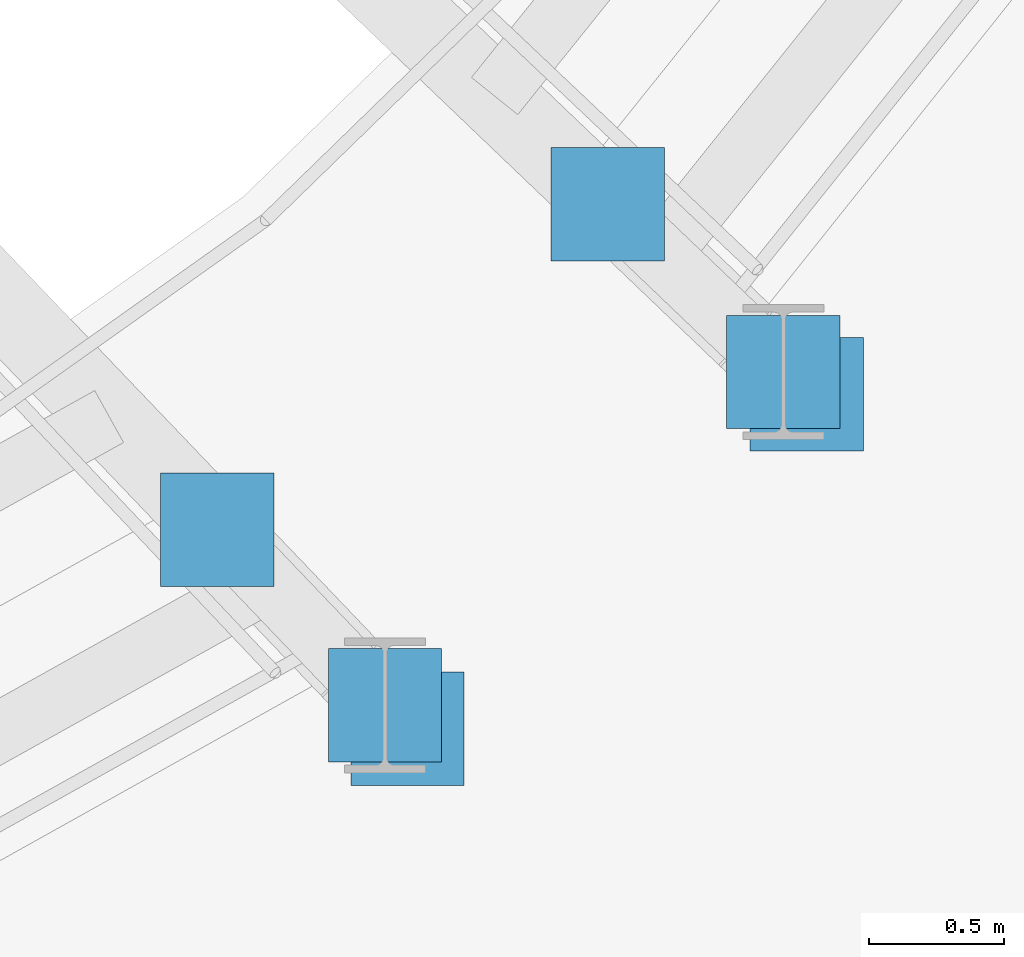
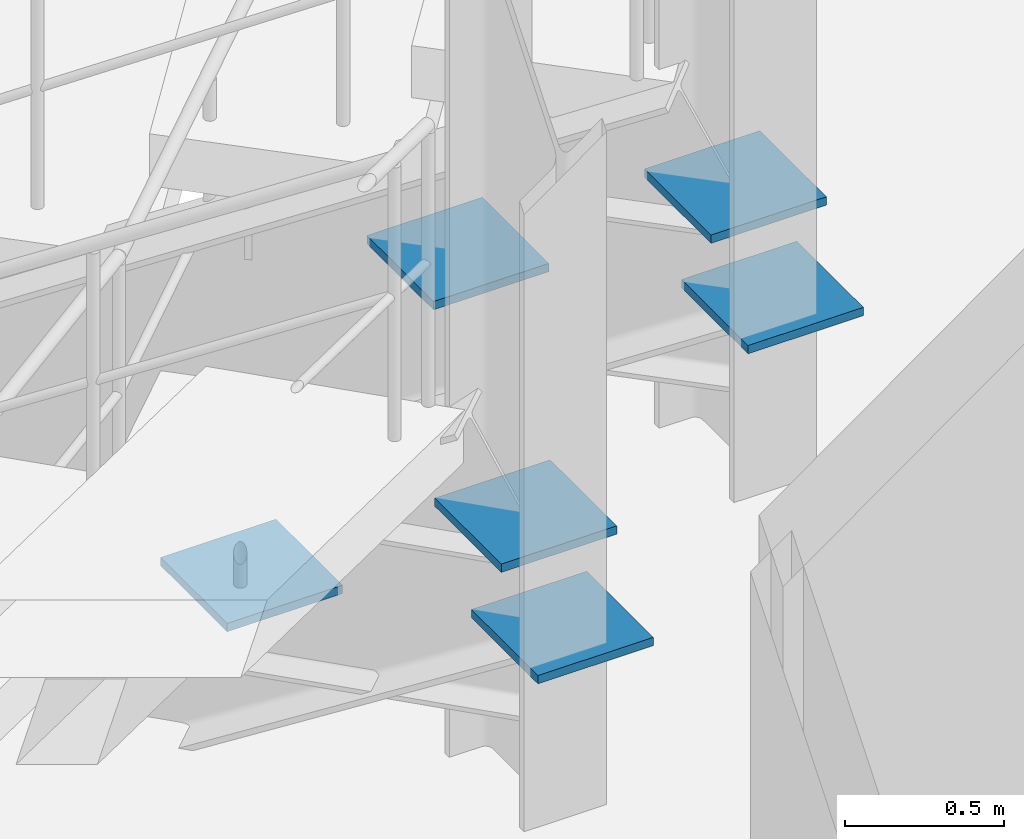
# One storey, part 65 of 81: 6 discrete accessories.
"""IFC4 building model written with IfcOpenShell, lengths in metres."""

from ifc_helpers import new_model, si_unit, direction, frame, origin, origin_2d, place, context, subcontext, project, spatial, rectangle, extrude, material, type_object, element, save


model = new_model("IFC4")

# Units and contexts
model_context = context("Model", 3, precision=1e-05, world=origin(), true_north=direction((0.0, 1.0)))
body_context = subcontext(model_context, "Body", "Model", "MODEL_VIEW")
ifc_project = project(units=[si_unit("LENGTHUNIT", "METRE"), si_unit("AREAUNIT", "SQUARE_METRE"), si_unit("VOLUMEUNIT", "CUBIC_METRE"), si_unit("PLANEANGLEUNIT", "RADIAN"), si_unit("MASSUNIT", "GRAM", prefix="KILO")], contexts=[model_context])

# Site, building, storey
site_placement = place(None, origin())
site = spatial("IfcSite", under=ifc_project, at=site_placement, CompositionType="ELEMENT")
building_placement = place(site_placement, origin())
building = spatial("IfcBuilding", under=site, at=building_placement, Name="Glasvene Arena", CompositionType="ELEMENT")
storey_placement = place(building_placement, frame((0.0, 0.0, 15.0)))
storey = spatial("IfcBuildingStorey", under=building, at=storey_placement, Name="L03", CompositionType="ELEMENT", Elevation=15.0)

# Discrete accessories
ifc_material = material(Name="Steel S355J2", Category="steel")
discrete_accessory_type = type_object("IfcDiscreteAccessoryType", Name="ACC-BRACE-GP20", PredefinedType="BRACKET", material=ifc_material)
for number, where, z_axis, x_axis, name in (
    (1, (123.780517578125, 45.165771484375, 0.994140625), (0.0, 0.0, 1.0), (1.0, 0.0, 0.0), "Cast-in raker and haunch embed plate 14-3-1"),
    (2, (123.15869140625, 45.81640625, 0.5888671875), (0.0, 0.0, 1.0), (1.0, 0.0, 0.0), "Cast-in raker and haunch embed plate 14-3-2"),
    (3, (123.863525390625, 45.0791015625, 0.5888671875), (0.0, 0.0, 1.0), (1.0, 0.0, 0.0), "Cast-in raker and haunch embed plate 14-3-3"),
    (4, (125.256591796875, 46.40087890625, 0.994140625), (0.0, 0.0, 1.0), (1.0, 0.0, 0.0), "Cast-in raker and haunch embed plate 15-1-1"),
    (5, (124.605712890625, 47.022705078125, 0.5888671875), (0.0, 0.0, 1.0), (1.0, 0.0, 0.0), "Cast-in raker and haunch embed plate 15-1-2"),
    (6, (125.34326171875, 46.318115234375, 0.5888671875), (0.0, 0.0, 1.0), (1.0, 0.0, 0.0), "Cast-in raker and haunch embed plate 15-1-3"),
):
    element("IfcDiscreteAccessory", number, at=place(storey_placement, frame(where, z_axis=z_axis, x_axis=x_axis)), inside=storey, type_object=discrete_accessory_type, Name=name, PredefinedType="BRACKET", context=body_context, shape_type="SweptSolid", body=[
        extrude(rectangle(XDim=0.419921875, YDim=0.419921875, at=origin_2d()), origin(), (0.0, 0.0, 1.0), 0.031982421875),
    ])

save(model, "model.ifc")
